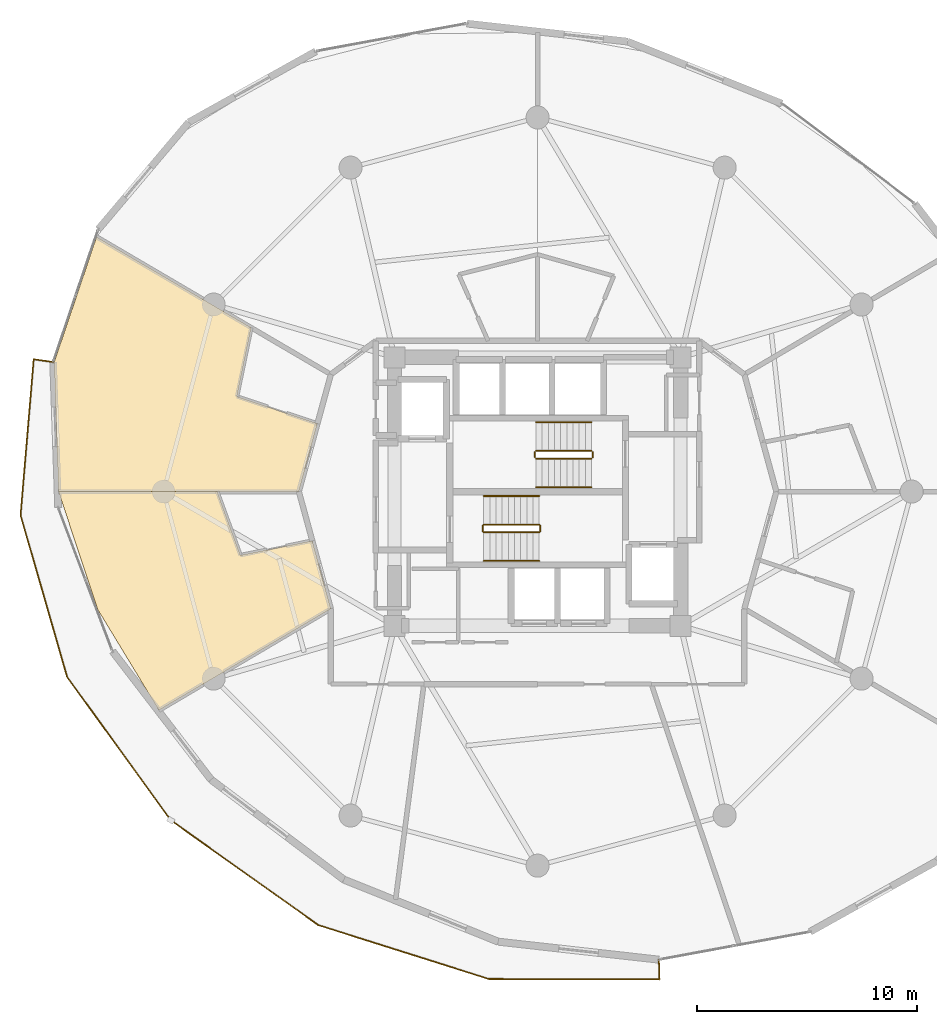
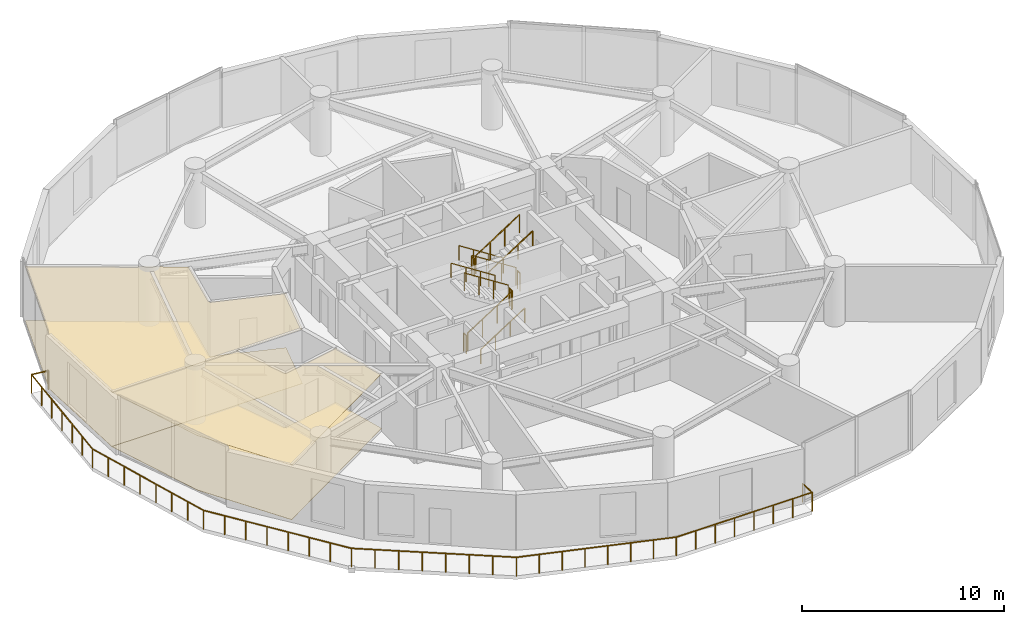
# One storey, part 24 of 25: 13 railings, 4 coverings.
"""IFC4 building model written with IfcOpenShell, lengths in metres."""

from ifc_helpers import new_model, si_unit, direction, frame, origin, origin_2d, place, context, subcontext, project, spatial, polyline, circle, outline, extrude, material, layer, layer_set, type_object, element, save


model = new_model("IFC4")

# Units and contexts
model_context = context("Model", 3, precision=1e-05, world=origin(), true_north=direction((0.0, 1.0)))
body_context = subcontext(model_context, "Body", "Model", "MODEL_VIEW")
ifc_project = project(units=[si_unit("LENGTHUNIT", "METRE"), si_unit("AREAUNIT", "SQUARE_METRE"), si_unit("VOLUMEUNIT", "CUBIC_METRE"), si_unit("PLANEANGLEUNIT", "RADIAN"), si_unit("MASSUNIT", "GRAM", prefix="KILO")], contexts=[model_context])

# Site, building, storey
site_placement = place(None, origin())
site = spatial("IfcSite", under=ifc_project, at=site_placement, CompositionType="ELEMENT")
building_placement = place(site_placement, origin())
building = spatial("IfcBuilding", under=site, at=building_placement, Name="Solvirekh Grand Hotel", CompositionType="ELEMENT")
storey_placement = place(building_placement, frame((0.0, 0.0, 106.199951171875)))
storey = spatial("IfcBuildingStorey", under=building, at=storey_placement, Name="L26", CompositionType="ELEMENT", Elevation=106.199951171875)

# Coverings
ifc_material_1 = material(Name="Acoustic Mineral Ceiling Tile")
ifc_layer_1 = layer(ifc_material_1, 0.02490234375)
ifc_layer_set_1 = layer_set([ifc_layer_1], Name="Acoustic Mineral Ceiling Tile")
covering_type_1 = type_object("IfcCoveringType", Name="Cov_Ceiling_Acoustic", PredefinedType="CEILING", material=ifc_layer_set_1)
covering_1_placement = place(storey_placement, frame((0.0, 0.0, 3.300048828125)))
element("IfcCovering", 1, at=covering_1_placement, inside=storey, type_object=covering_type_1, Name="L26 Deluxe Guestroom 2803 acoustic ceiling", PredefinedType="CEILING", context=body_context, shape_type="SweptSolid", body=[
    extrude(outline(polyline([(-13.666015625, 4.321044921875), (-13.01708984375, 7.448974609375), (-20.044921875, 11.572998046875), (-21.968994140625, 5.885986328125), (-21.77099609375, 0.0), (-10.85009765625, 0.0), (-10.007080078125, 3.089111328125), (-13.666015625, 4.321044921875)])), origin(), (0.0, 0.0, 1.0), 0.01806640625),
])
covering_2_placement = place(storey_placement, frame((0.0, 0.0, 3.300048828125)))
element("IfcCovering", 2, at=covering_2_placement, inside=storey, type_object=covering_type_1, Name="L26 Deluxe Guestroom 2804 acoustic ceiling", PredefinedType="CEILING", context=body_context, shape_type="SweptSolid", body=[
    extrude(outline(polyline([(-13.509033203125, -2.89501953125), (-14.56298828125, 0.0), (-21.77099609375, 0.0), (-19.991943359375, -5.35693359375), (-17.2109375, -9.93701171875), (-9.39599609375, -5.324951171875), (-10.239013671875, -2.236083984375), (-13.509033203125, -2.89501953125)])), origin(), (0.0, 0.0, 1.0), 0.01806640625),
])
ifc_material_2 = material(Name="Porcelain Stoneware Flooring", Category="masonry")
ifc_layer_2 = layer(ifc_material_2, 0.030029296875)
ifc_layer_set_2 = layer_set([ifc_layer_2], Name="Porcelain Stoneware Flooring")
covering_type_2 = type_object("IfcCoveringType", Name="Cov_Floor_Stone", PredefinedType="FLOORING", material=ifc_layer_set_2)
covering_3_placement = place(storey_placement, origin())
element("IfcCovering", 3, at=covering_3_placement, inside=storey, type_object=covering_type_2, Name="L26 Deluxe Guestroom 2803 polished granite flooring", PredefinedType="FLOORING", context=body_context, shape_type="SweptSolid", body=[
    extrude(outline(polyline([(-13.666015625, 4.321044921875), (-13.01708984375, 7.448974609375), (-20.044921875, 11.572998046875), (-21.968994140625, 5.885986328125), (-21.77099609375, 0.0), (-10.85009765625, 0.0), (-10.007080078125, 3.089111328125), (-13.666015625, 4.321044921875)])), origin(), (0.0, 0.0, 1.0), 0.02001953125),
])
covering_4_placement = place(storey_placement, origin())
element("IfcCovering", 4, at=covering_4_placement, inside=storey, type_object=covering_type_2, Name="L26 Deluxe Guestroom 2804 polished granite flooring", PredefinedType="FLOORING", context=body_context, shape_type="SweptSolid", body=[
    extrude(outline(polyline([(-13.509033203125, -2.89501953125), (-14.56298828125, 0.0), (-21.77099609375, 0.0), (-19.991943359375, -5.35693359375), (-17.2109375, -9.93701171875), (-9.39599609375, -5.324951171875), (-10.239013671875, -2.236083984375), (-13.509033203125, -2.89501953125)])), origin(), (0.0, 0.0, 1.0), 0.02001953125),
])

# Railings
ifc_material_3 = material(Name="Anodized Bronze Aluminium 6063-T6", Category="aluminium")
railing_type_1 = type_object("IfcRailingType", Name="Guard_ExtGlass_1150", PredefinedType="BALUSTRADE", material=ifc_material_3)
railing_1_placement = place(storey_placement, frame((-22.010986328125, 5.885986328125, 0.0)))
element("IfcRailing", 5, at=railing_1_placement, inside=storey, type_object=railing_type_1, Name="L26 balc perimeter glass balustrade", PredefinedType="BALUSTRADE", context=body_context, shape_type="SweptSolid", body=[
    extrude(circle(Radius=0.02392578125, at=origin_2d()), frame((0.0, 0.0, 1.1259765625), z_axis=(-0.989851628568, 0.142104726951, 0.0), x_axis=(-0.142104726951, -0.989851628568, 0.0)), (0.0, 0.0, 1.0), 0.900146484375),
    extrude(circle(Radius=0.02392578125, at=origin_2d()), frame((-0.89111328125, 0.1279296875, 1.1259765625), z_axis=(-0.084056659268, -0.996460976673, 0.0), x_axis=(0.996460976673, -0.084056659268, 0.0)), (0.0, 0.0, 1.0), 7.113037109375),
    extrude(circle(Radius=0.02392578125, at=origin_2d()), frame((-1.489013671875, -6.9599609375, 1.1259765625), z_axis=(0.276681142751, -0.960961781366, 0.0), x_axis=(0.960961781366, 0.276681142751, 0.0)), (0.0, 0.0, 1.0), 7.647705078125),
    extrude(circle(Radius=0.02392578125, at=origin_2d()), frame((0.626953125, -14.30908203125, 1.1259765625), z_axis=(0.586320293879, -0.810079325119, 0.0), x_axis=(0.810079325119, 0.586320293879, 0.0)), (0.0, 0.0, 1.0), 8.04345703125),
    extrude(circle(Radius=0.02392578125, at=origin_2d()), frame((5.343017578125, -20.824951171875, 1.1259765625), z_axis=(0.815056008737, -0.579382173199, 0.0), x_axis=(0.579382173199, 0.815056008737, 0.0)), (0.0, 0.0, 1.0), 8.218994140625),
    extrude(circle(Radius=0.02392578125, at=origin_2d()), frame((12.0419921875, -25.5869140625, 1.1259765625), z_axis=(0.953469536427, -0.301489374781, 0.0), x_axis=(0.301489374781, 0.953469536427, 0.0)), (0.0, 0.0, 1.0), 8.126220703125),
    extrude(circle(Radius=0.02392578125, at=origin_2d()), frame((19.7900390625, -28.036865234375, 1.1259765625), z_axis=(0.999995901682, -0.002862973952, 0.0), x_axis=(0.002862973952, 0.999995901682, 0.0)), (0.0, 0.0, 1.0), 7.760009765625),
    extrude(circle(Radius=0.02392578125, at=origin_2d()), frame((27.550048828125, -28.05908203125, 1.1259765625), z_axis=(-0.031175508938, 0.999513925687, 0.0), x_axis=(-0.999513925687, -0.031175508938, 0.0)), (0.0, 0.0, 1.0), 0.900634765625),
    extrude(circle(Radius=0.02099609375, at=origin_2d()), origin(), (0.0, 0.0, 1.0), 1.101806640625),
    extrude(circle(Radius=0.02099609375, at=origin_2d()), frame((-0.89111328125, 0.1279296875, 0.0)), (0.0, 0.0, 1.0), 1.101806640625),
    extrude(circle(Radius=0.02099609375, at=origin_2d()), frame((-0.99072265625, -1.053466796875, 0.0)), (0.0, 0.0, 1.0), 1.101806640625),
    extrude(circle(Radius=0.02099609375, at=origin_2d()), frame((-1.09033203125, -2.234619140625, 0.0)), (0.0, 0.0, 1.0), 1.101806640625),
    extrude(circle(Radius=0.02099609375, at=origin_2d()), frame((-1.18994140625, -3.416015625, 0.0)), (0.0, 0.0, 1.0), 1.101806640625),
    extrude(circle(Radius=0.02099609375, at=origin_2d()), frame((-1.289794921875, -4.597412109375, 0.0)), (0.0, 0.0, 1.0), 1.101806640625),
    extrude(circle(Radius=0.02099609375, at=origin_2d()), frame((-1.389404296875, -5.778564453125, 0.0)), (0.0, 0.0, 1.0), 1.101806640625),
    extrude(circle(Radius=0.02099609375, at=origin_2d()), frame((-1.489013671875, -6.9599609375, 0.0)), (0.0, 0.0, 1.0), 1.101806640625),
    extrude(circle(Radius=0.02099609375, at=origin_2d()), frame((-1.186767578125, -8.009765625, 0.0)), (0.0, 0.0, 1.0), 1.101806640625),
    extrude(circle(Radius=0.02099609375, at=origin_2d()), frame((-0.884521484375, -9.059814453125, 0.0)), (0.0, 0.0, 1.0), 1.101806640625),
    extrude(circle(Radius=0.02099609375, at=origin_2d()), frame((-0.582275390625, -10.109619140625, 0.0)), (0.0, 0.0, 1.0), 1.101806640625),
    extrude(circle(Radius=0.02099609375, at=origin_2d()), frame((-0.27978515625, -11.159423828125, 0.0)), (0.0, 0.0, 1.0), 1.101806640625),
    extrude(circle(Radius=0.02099609375, at=origin_2d()), frame((0.0224609375, -12.209228515625, 0.0)), (0.0, 0.0, 1.0), 1.101806640625),
    extrude(circle(Radius=0.02099609375, at=origin_2d()), frame((0.32470703125, -13.25927734375, 0.0)), (0.0, 0.0, 1.0), 1.101806640625),
    extrude(circle(Radius=0.02099609375, at=origin_2d()), frame((0.626953125, -14.30908203125, 0.0)), (0.0, 0.0, 1.0), 1.101806640625),
    extrude(circle(Radius=0.02099609375, at=origin_2d()), frame((1.30078125, -15.239990234375, 0.0)), (0.0, 0.0, 1.0), 1.101806640625),
    extrude(circle(Radius=0.02099609375, at=origin_2d()), frame((1.974365234375, -16.170654296875, 0.0)), (0.0, 0.0, 1.0), 1.101806640625),
    extrude(circle(Radius=0.02099609375, at=origin_2d()), frame((2.648193359375, -17.1015625, 0.0)), (0.0, 0.0, 1.0), 1.101806640625),
    extrude(circle(Radius=0.02099609375, at=origin_2d()), frame((3.32177734375, -18.032470703125, 0.0)), (0.0, 0.0, 1.0), 1.101806640625),
    extrude(circle(Radius=0.02099609375, at=origin_2d()), frame((3.99560546875, -18.96337890625, 0.0)), (0.0, 0.0, 1.0), 1.101806640625),
    extrude(circle(Radius=0.02099609375, at=origin_2d()), frame((4.669189453125, -19.89404296875, 0.0)), (0.0, 0.0, 1.0), 1.101806640625),
    extrude(circle(Radius=0.02099609375, at=origin_2d()), frame((5.343017578125, -20.824951171875, 0.0)), (0.0, 0.0, 1.0), 1.101806640625),
    extrude(circle(Radius=0.02099609375, at=origin_2d()), frame((6.300048828125, -21.505126953125, 0.0)), (0.0, 0.0, 1.0), 1.101806640625),
    extrude(circle(Radius=0.02099609375, at=origin_2d()), frame((7.257080078125, -22.185546875, 0.0)), (0.0, 0.0, 1.0), 1.101806640625),
    extrude(circle(Radius=0.02099609375, at=origin_2d()), frame((8.214111328125, -22.86572265625, 0.0)), (0.0, 0.0, 1.0), 1.101806640625),
    extrude(circle(Radius=0.02099609375, at=origin_2d()), frame((9.1708984375, -23.546142578125, 0.0)), (0.0, 0.0, 1.0), 1.101806640625),
    extrude(circle(Radius=0.02099609375, at=origin_2d()), frame((10.1279296875, -24.226318359375, 0.0)), (0.0, 0.0, 1.0), 1.101806640625),
    extrude(circle(Radius=0.02099609375, at=origin_2d()), frame((11.0849609375, -24.90673828125, 0.0)), (0.0, 0.0, 1.0), 1.101806640625),
    extrude(circle(Radius=0.02099609375, at=origin_2d()), frame((12.0419921875, -25.5869140625, 0.0)), (0.0, 0.0, 1.0), 1.101806640625),
    extrude(circle(Radius=0.02099609375, at=origin_2d()), frame((13.14892578125, -25.93701171875, 0.0)), (0.0, 0.0, 1.0), 1.101806640625),
    extrude(circle(Radius=0.02099609375, at=origin_2d()), frame((14.255615234375, -26.286865234375, 0.0)), (0.0, 0.0, 1.0), 1.101806640625),
    extrude(circle(Radius=0.02099609375, at=origin_2d()), frame((15.362548828125, -26.636962890625, 0.0)), (0.0, 0.0, 1.0), 1.101806640625),
    extrude(circle(Radius=0.02099609375, at=origin_2d()), frame((16.469482421875, -26.98681640625, 0.0)), (0.0, 0.0, 1.0), 1.101806640625),
    extrude(circle(Radius=0.02099609375, at=origin_2d()), frame((17.576416015625, -27.3369140625, 0.0)), (0.0, 0.0, 1.0), 1.101806640625),
    extrude(circle(Radius=0.02099609375, at=origin_2d()), frame((18.68310546875, -27.686767578125, 0.0)), (0.0, 0.0, 1.0), 1.101806640625),
    extrude(circle(Radius=0.02099609375, at=origin_2d()), frame((19.7900390625, -28.036865234375, 0.0)), (0.0, 0.0, 1.0), 1.101806640625),
    extrude(circle(Radius=0.02099609375, at=origin_2d()), frame((20.898681640625, -28.0400390625, 0.0)), (0.0, 0.0, 1.0), 1.101806640625),
    extrude(circle(Radius=0.02099609375, at=origin_2d()), frame((22.007080078125, -28.043212890625, 0.0)), (0.0, 0.0, 1.0), 1.101806640625),
    extrude(circle(Radius=0.02099609375, at=origin_2d()), frame((23.11572265625, -28.04638671875, 0.0)), (0.0, 0.0, 1.0), 1.101806640625),
    extrude(circle(Radius=0.02099609375, at=origin_2d()), frame((24.224365234375, -28.049560546875, 0.0)), (0.0, 0.0, 1.0), 1.101806640625),
    extrude(circle(Radius=0.02099609375, at=origin_2d()), frame((25.3330078125, -28.052734375, 0.0)), (0.0, 0.0, 1.0), 1.101806640625),
    extrude(circle(Radius=0.02099609375, at=origin_2d()), frame((26.44140625, -28.055908203125, 0.0)), (0.0, 0.0, 1.0), 1.101806640625),
    extrude(circle(Radius=0.02099609375, at=origin_2d()), frame((27.550048828125, -28.05908203125, 0.0)), (0.0, 0.0, 1.0), 1.101806640625),
    extrude(circle(Radius=0.02099609375, at=origin_2d()), frame((27.52197265625, -27.158935546875, 0.0)), (0.0, 0.0, 1.0), 1.101806640625),
])
ifc_material_4 = material(Name="Steel S355", Category="steel")
railing_type_2 = type_object("IfcRailingType", Name="Guard_Stair_1100", PredefinedType="GUARDRAIL", material=ifc_material_4)
railing_2_placement = place(storey_placement, frame((-2.449951171875, -1.85009765625, 0.179931640625)))
element("IfcRailing", 6, at=railing_2_placement, inside=storey, type_object=railing_type_2, Name="L26 ST-1 stair guard 1", PredefinedType="GUARDRAIL", context=body_context, shape_type="SweptSolid", body=[
    extrude(circle(Radius=0.02392578125, at=origin_2d()), frame((0.0, 0.0, 1.076171875), z_axis=(0.841162588446, 0.0, 0.540782303519), x_axis=(0.0, 1.0, 0.0)), (0.0, 0.0, 1.0), 2.995849609375),
    extrude(circle(Radius=0.02099609375, at=origin_2d()), origin(), (0.0, 0.0, 1.0), 1.052001953125),
    extrude(circle(Radius=0.02099609375, at=origin_2d()), frame((0.840087890625, 0.0, 0.5400390625)), (0.0, 0.0, 1.0), 1.052001953125),
    extrude(circle(Radius=0.02099609375, at=origin_2d()), frame((1.679931640625, 0.0, 1.080078125)), (0.0, 0.0, 1.0), 1.052001953125),
    extrude(circle(Radius=0.02099609375, at=origin_2d()), frame((2.52001953125, 0.0, 1.6201171875)), (0.0, 0.0, 1.0), 1.052001953125),
])
railing_3_placement = place(storey_placement, frame((0.1201171875, -1.800048828125, 1.800048828125)))
element("IfcRailing", 7, at=railing_3_placement, inside=storey, type_object=railing_type_2, Name="L26 ST-1 stair guard 2", PredefinedType="GUARDRAIL", context=body_context, shape_type="SweptSolid", body=[
    extrude(circle(Radius=0.02392578125, at=origin_2d()), frame((0.0, 0.0, 1.076171875), z_axis=(0.0, 1.0, 0.0), x_axis=(-1.0, 0.0, 0.0)), (0.0, 0.0, 1.0), 0.25),
    extrude(circle(Radius=0.02099609375, at=origin_2d()), origin(), (0.0, 0.0, 1.0), 1.052001953125),
    extrude(circle(Radius=0.02099609375, at=origin_2d()), frame((0.0, 0.25, 0.0)), (0.0, 0.0, 1.0), 1.052001953125),
])
railing_4_placement = place(storey_placement, frame((0.070068359375, -1.5, 1.97998046875)))
element("IfcRailing", 8, at=railing_4_placement, inside=storey, type_object=railing_type_2, Name="L26 ST-1 stair guard 3", PredefinedType="GUARDRAIL", context=body_context, shape_type="SweptSolid", body=[
    extrude(circle(Radius=0.02392578125, at=origin_2d()), frame((0.0, 0.0, 1.076171875), z_axis=(-0.841162588446, 0.0, 0.540782303519), x_axis=(0.0, -1.0, 0.0)), (0.0, 0.0, 1.0), 2.995849609375),
    extrude(circle(Radius=0.02099609375, at=origin_2d()), origin(), (0.0, 0.0, 1.0), 1.052001953125),
    extrude(circle(Radius=0.02099609375, at=origin_2d()), frame((-0.840087890625, 0.0, 0.5400390625)), (0.0, 0.0, 1.0), 1.052001953125),
    extrude(circle(Radius=0.02099609375, at=origin_2d()), frame((-1.679931640625, 0.0, 1.080078125)), (0.0, 0.0, 1.0), 1.052001953125),
    extrude(circle(Radius=0.02099609375, at=origin_2d()), frame((-2.52001953125, 0.0, 1.6201171875)), (0.0, 0.0, 1.0), 1.052001953125),
])
railing_5_placement = place(storey_placement, frame((-2.5, -1.800048828125, 0.0)))
element("IfcRailing", 9, at=railing_5_placement, inside=storey, type_object=railing_type_2, Name="L26 ST-1 stair guard 4", PredefinedType="GUARDRAIL", context=body_context, shape_type="SweptSolid", body=[
    extrude(circle(Radius=0.02392578125, at=origin_2d()), frame((0.0, 0.0, 1.076171875), z_axis=(0.0, 1.0, 0.0), x_axis=(-1.0, 0.0, 0.0)), (0.0, 0.0, 1.0), 0.25),
    extrude(circle(Radius=0.02099609375, at=origin_2d()), origin(), (0.0, 0.0, 1.0), 1.052001953125),
    extrude(circle(Radius=0.02099609375, at=origin_2d()), frame((0.0, 0.25, 0.0)), (0.0, 0.0, 1.0), 1.052001953125),
])
railing_6_placement = place(storey_placement, frame((2.449951171875, 1.85009765625, 0.179931640625)))
element("IfcRailing", 10, at=railing_6_placement, inside=storey, type_object=railing_type_2, Name="L26 ST-2 stair guard 1", PredefinedType="GUARDRAIL", context=body_context, shape_type="SweptSolid", body=[
    extrude(circle(Radius=0.02392578125, at=origin_2d()), frame((0.0, 0.0, 1.076171875), z_axis=(-0.841162588446, 0.0, 0.540782303519), x_axis=(0.0, -1.0, 0.0)), (0.0, 0.0, 1.0), 2.995849609375),
    extrude(circle(Radius=0.02099609375, at=origin_2d()), origin(), (0.0, 0.0, 1.0), 1.052001953125),
    extrude(circle(Radius=0.02099609375, at=origin_2d()), frame((-0.840087890625, 0.0, 0.5400390625)), (0.0, 0.0, 1.0), 1.052001953125),
    extrude(circle(Radius=0.02099609375, at=origin_2d()), frame((-1.679931640625, 0.0, 1.080078125)), (0.0, 0.0, 1.0), 1.052001953125),
    extrude(circle(Radius=0.02099609375, at=origin_2d()), frame((-2.52001953125, 0.0, 1.6201171875)), (0.0, 0.0, 1.0), 1.052001953125),
])
railing_7_placement = place(storey_placement, frame((-0.1201171875, 1.800048828125, 1.800048828125)))
element("IfcRailing", 11, at=railing_7_placement, inside=storey, type_object=railing_type_2, Name="L26 ST-2 stair guard 2", PredefinedType="GUARDRAIL", context=body_context, shape_type="SweptSolid", body=[
    extrude(circle(Radius=0.02392578125, at=origin_2d()), frame((0.0, 0.0, 1.076171875), z_axis=(0.0, -1.0, 0.0), x_axis=(1.0, 0.0, 0.0)), (0.0, 0.0, 1.0), 0.25),
    extrude(circle(Radius=0.02099609375, at=origin_2d()), origin(), (0.0, 0.0, 1.0), 1.052001953125),
    extrude(circle(Radius=0.02099609375, at=origin_2d()), frame((0.0, -0.25, 0.0)), (0.0, 0.0, 1.0), 1.052001953125),
])
railing_8_placement = place(storey_placement, frame((-0.070068359375, 1.5, 1.97998046875)))
element("IfcRailing", 12, at=railing_8_placement, inside=storey, type_object=railing_type_2, Name="L26 ST-2 stair guard 3", PredefinedType="GUARDRAIL", context=body_context, shape_type="SweptSolid", body=[
    extrude(circle(Radius=0.02392578125, at=origin_2d()), frame((0.0, 0.0, 1.076171875), z_axis=(0.841162588446, 0.0, 0.540782303519), x_axis=(0.0, 1.0, 0.0)), (0.0, 0.0, 1.0), 2.995849609375),
    extrude(circle(Radius=0.02099609375, at=origin_2d()), origin(), (0.0, 0.0, 1.0), 1.052001953125),
    extrude(circle(Radius=0.02099609375, at=origin_2d()), frame((0.840087890625, 0.0, 0.5400390625)), (0.0, 0.0, 1.0), 1.052001953125),
    extrude(circle(Radius=0.02099609375, at=origin_2d()), frame((1.679931640625, 0.0, 1.080078125)), (0.0, 0.0, 1.0), 1.052001953125),
    extrude(circle(Radius=0.02099609375, at=origin_2d()), frame((2.52001953125, 0.0, 1.6201171875)), (0.0, 0.0, 1.0), 1.052001953125),
])
railing_9_placement = place(storey_placement, frame((2.5, 1.800048828125, 0.0)))
element("IfcRailing", 13, at=railing_9_placement, inside=storey, type_object=railing_type_2, Name="L26 ST-2 stair guard 4", PredefinedType="GUARDRAIL", context=body_context, shape_type="SweptSolid", body=[
    extrude(circle(Radius=0.02392578125, at=origin_2d()), frame((0.0, 0.0, 1.076171875), z_axis=(0.0, -1.0, 0.0), x_axis=(1.0, 0.0, 0.0)), (0.0, 0.0, 1.0), 0.25),
    extrude(circle(Radius=0.02099609375, at=origin_2d()), origin(), (0.0, 0.0, 1.0), 1.052001953125),
    extrude(circle(Radius=0.02099609375, at=origin_2d()), frame((0.0, -0.25, 0.0)), (0.0, 0.0, 1.0), 1.052001953125),
])
railing_type_3 = type_object("IfcRailingType", Name="Handrail_Wall_900", PredefinedType="HANDRAIL", material=ifc_material_3)
railing_10_placement = place(storey_placement, frame((-2.449951171875, -3.14990234375, 0.179931640625)))
element("IfcRailing", 14, at=railing_10_placement, inside=storey, type_object=railing_type_3, Name="L26 ST-1 stair handrail 1", PredefinedType="HANDRAIL", context=body_context, shape_type="SweptSolid", body=[
    extrude(circle(Radius=0.02392578125, at=origin_2d()), frame((0.0, 0.0, 0.8759765625), z_axis=(0.841162588446, 0.0, 0.540782303519), x_axis=(0.0, 1.0, 0.0)), (0.0, 0.0, 1.0), 2.995849609375),
    extrude(circle(Radius=0.02099609375, at=origin_2d()), origin(), (0.0, 0.0, 1.0), 0.851806640625),
    extrude(circle(Radius=0.02099609375, at=origin_2d()), frame((0.840087890625, 0.0, 0.5400390625)), (0.0, 0.0, 1.0), 0.851806640625),
    extrude(circle(Radius=0.02099609375, at=origin_2d()), frame((1.679931640625, 0.0, 1.080078125)), (0.0, 0.0, 1.0), 0.851806640625),
    extrude(circle(Radius=0.02099609375, at=origin_2d()), frame((2.52001953125, 0.0, 1.6201171875)), (0.0, 0.0, 1.0), 0.851806640625),
])
for number, where, name in (
    (15, (0.070068359375, -0.199951171875, 1.97998046875), "L26 ST-1 stair handrail 2"),
    (16, (2.449951171875, 3.14990234375, 0.179931640625), "L26 ST-2 stair handrail 1"),
):
    element("IfcRailing", number, at=place(storey_placement, frame(where)), inside=storey, type_object=railing_type_3, Name=name, PredefinedType="HANDRAIL", context=body_context, shape_type="SweptSolid", body=[
        extrude(circle(Radius=0.02392578125, at=origin_2d()), frame((0.0, 0.0, 0.8759765625), z_axis=(-0.841162588446, 0.0, 0.540782303519), x_axis=(0.0, -1.0, 0.0)), (0.0, 0.0, 1.0), 2.995849609375),
        extrude(circle(Radius=0.02099609375, at=origin_2d()), origin(), (0.0, 0.0, 1.0), 0.851806640625),
        extrude(circle(Radius=0.02099609375, at=origin_2d()), frame((-0.840087890625, 0.0, 0.5400390625)), (0.0, 0.0, 1.0), 0.851806640625),
        extrude(circle(Radius=0.02099609375, at=origin_2d()), frame((-1.679931640625, 0.0, 1.080078125)), (0.0, 0.0, 1.0), 0.851806640625),
        extrude(circle(Radius=0.02099609375, at=origin_2d()), frame((-2.52001953125, 0.0, 1.6201171875)), (0.0, 0.0, 1.0), 0.851806640625),
    ])
railing_11_placement = place(storey_placement, frame((-0.070068359375, 0.199951171875, 1.97998046875)))
element("IfcRailing", 17, at=railing_11_placement, inside=storey, type_object=railing_type_3, Name="L26 ST-2 stair handrail 2", PredefinedType="HANDRAIL", context=body_context, shape_type="SweptSolid", body=[
    extrude(circle(Radius=0.02392578125, at=origin_2d()), frame((0.0, 0.0, 0.8759765625), z_axis=(0.841162588446, 0.0, 0.540782303519), x_axis=(0.0, 1.0, 0.0)), (0.0, 0.0, 1.0), 2.995849609375),
    extrude(circle(Radius=0.02099609375, at=origin_2d()), origin(), (0.0, 0.0, 1.0), 0.851806640625),
    extrude(circle(Radius=0.02099609375, at=origin_2d()), frame((0.840087890625, 0.0, 0.5400390625)), (0.0, 0.0, 1.0), 0.851806640625),
    extrude(circle(Radius=0.02099609375, at=origin_2d()), frame((1.679931640625, 0.0, 1.080078125)), (0.0, 0.0, 1.0), 0.851806640625),
    extrude(circle(Radius=0.02099609375, at=origin_2d()), frame((2.52001953125, 0.0, 1.6201171875)), (0.0, 0.0, 1.0), 0.851806640625),
])

save(model, "model.ifc")
